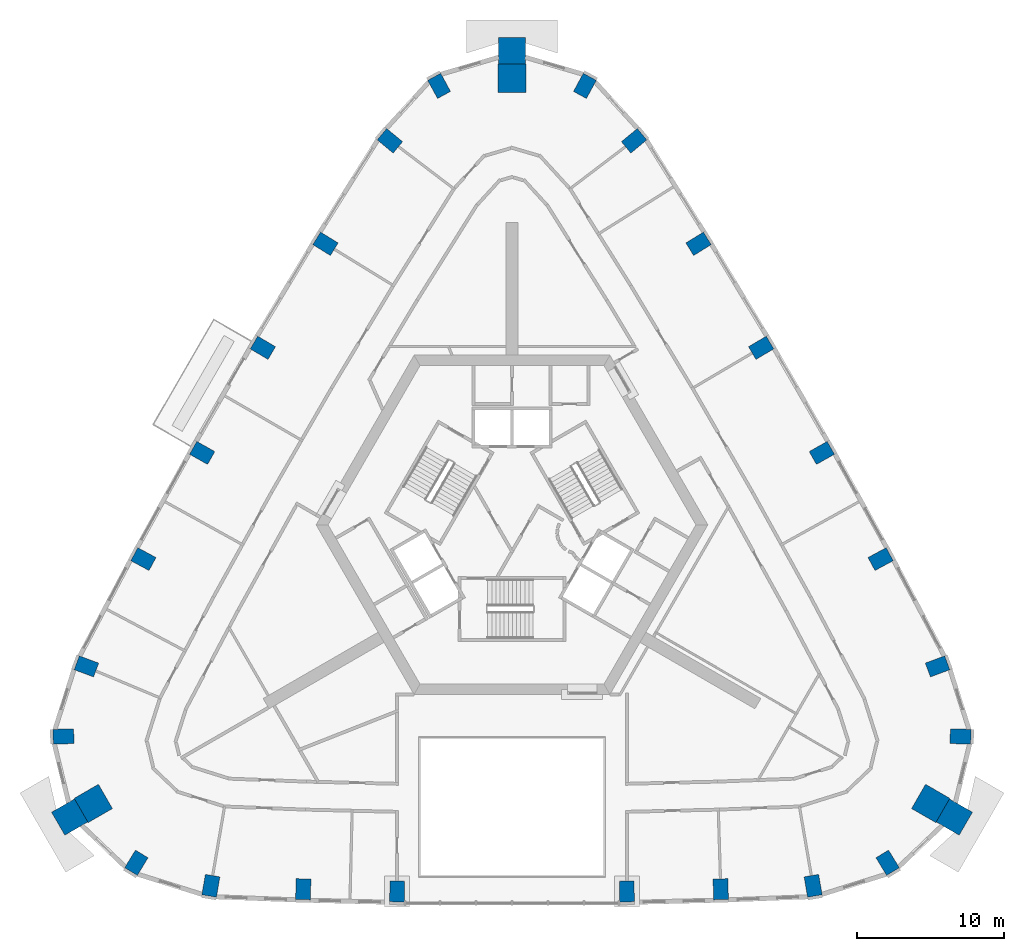
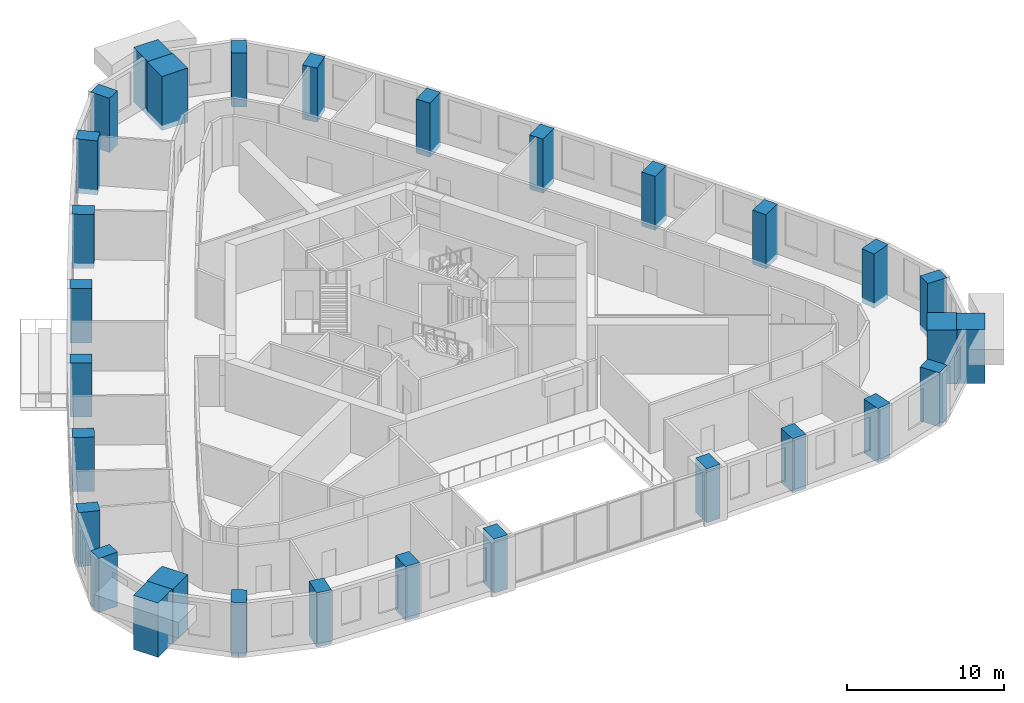
# One storey, part 1 of 13: 30 columns.
"""IFC4 building model written with IfcOpenShell, lengths in metres."""

from ifc_helpers import new_model, si_unit, direction, frame, origin, origin_2d, place, context, subcontext, project, spatial, rectangle, extrude, material, material_profile, profile_set, type_object, element, save


model = new_model("IFC4")

# Units and contexts
model_context = context("Model", 3, precision=1e-05, world=origin(), true_north=direction((0.0, 1.0)))
body_context = subcontext(model_context, "Body", "Model", "MODEL_VIEW")
ifc_project = project(units=[si_unit("LENGTHUNIT", "METRE"), si_unit("AREAUNIT", "SQUARE_METRE"), si_unit("VOLUMEUNIT", "CUBIC_METRE"), si_unit("PLANEANGLEUNIT", "RADIAN"), si_unit("MASSUNIT", "GRAM", prefix="KILO")], contexts=[model_context])

# Site, building, storey
site_placement = place(None, origin())
site = spatial("IfcSite", under=ifc_project, at=site_placement, CompositionType="ELEMENT")
building_placement = place(site_placement, origin())
building = spatial("IfcBuilding", under=site, at=building_placement, Name="Entoto Arch Interchange Tower", CompositionType="ELEMENT")
storey_placement = place(building_placement, frame((0.0, 0.0, 223.39990234375)))
storey = spatial("IfcBuildingStorey", under=building, at=storey_placement, Name="L50", CompositionType="ELEMENT", Elevation=223.39990234375)

# Columns
ifc_material_1 = material(Name="Concrete C50/60", Category="concrete")
ifc_material_profile_1 = material_profile(ifc_material_1, rectangle(XDim=1.0, YDim=1.39990234375, at=origin_2d()))
ifc_profile_set_1 = profile_set([ifc_material_profile_1], Name="Concrete C50/60")
column_type_1 = type_object("IfcColumnType", Name="Column RC 1000x1400 C50/60", PredefinedType="COLUMN", material=ifc_profile_set_1)
for number, where, z_axis, x_axis, name in (
    (1, (-20.4169921875, -21.97509765625, -0.39990234375), (0.0, 0.0, 1.0), (-0.985541276773, 0.169435509195, 0.0), "Column S01 L50"),
    (2, (-14.154052734375, -22.2080078125, -0.39990234375), (0.0, 0.0, 1.0), (-0.999420902032, 0.034027350502, 0.0), "Column S02 L50"),
    (3, (-7.7880859375, -22.361083984375, -0.39990234375), (0.0, 0.0, 1.0), (-0.999913181484, 0.013176854508, 0.0), "Column S03 L50"),
    (4, (7.7880859375, -22.361083984375, -0.39990234375), (0.0, 0.0, 1.0), (0.999913181484, 0.013176854508, 0.0), "Column S04 L50"),
    (5, (14.154052734375, -22.2080078125, -0.39990234375), (0.0, 0.0, 1.0), (0.999420902032, 0.034027350502, 0.0), "Column S05 L50"),
    (6, (20.4169921875, -21.97509765625, -0.39990234375), (0.0, 0.0, 1.0), (0.985541276773, 0.169435509195, 0.0), "Column S06 L50"),
    (7, (25.468994140625, -20.412109375, -0.39990234375), (0.0, 0.0, 1.0), (0.853423465127, 0.521218178089, 0.0), "Column SE1 L50"),
    (8, (30.412109375, -11.85107421875, -0.39990234375), (0.0, 0.0, 1.0), (0.024676450576, 0.99969549003, 0.0), "Column SE3 L50"),
    (9, (28.85595703125, -7.10009765625, -0.39990234375), (0.0, 0.0, 1.0), (-0.34706660219, 0.937840484114, 0.0), "Column NE01 L50"),
    (10, (24.992919921875, 0.175048828125, -0.39990234375), (0.0, 0.0, 1.0), (-0.474134310084, 0.880452529102, 0.0), "Column NE02 L50"),
    (11, (21.007080078125, 7.376953125, -0.39990234375), (0.0, 0.0, 1.0), (-0.491435856222, 0.870913772551, 0.0), "Column NE03 L50"),
    (12, (16.89208984375, 14.50390625, -0.39990234375), (0.0, 0.0, 1.0), (-0.508515523424, 0.861052822095, 0.0), "Column NE04 L50"),
    (13, (12.64794921875, 21.556884765625, -0.39990234375), (0.0, 0.0, 1.0), (-0.525427101986, 0.850838621889, 0.0), "Column NE05 L50"),
    (14, (8.278076171875, 28.5400390625, -0.39990234375), (0.0, 0.0, 1.0), (-0.638660382845, 0.769488736359, 0.0), "Column NE06 L50"),
    (15, (4.94189453125, 32.262939453125, -0.39990234375), (0.0, 0.0, 1.0), (-0.878099915703, 0.478477311941, 0.0), "Column N1 L50"),
    (16, (-4.94189453125, 32.262939453125, -0.39990234375), (0.0, 0.0, 1.0), (0.878099915703, 0.478477311941, 0.0), "Column N3 L50"),
    (17, (-8.278076171875, 28.5400390625, -0.39990234375), (0.0, 0.0, 1.0), (0.638660382845, 0.769488736359, 0.0), "Column NW01 L50"),
    (18, (-12.64794921875, 21.556884765625, -0.39990234375), (0.0, 0.0, 1.0), (0.525427101986, 0.850838621889, 0.0), "Column NW02 L50"),
    (19, (-16.89208984375, 14.50390625, -0.39990234375), (0.0, 0.0, 1.0), (0.508515523424, 0.861052822095, 0.0), "Column NW03 L50"),
    (20, (-21.007080078125, 7.376953125, -0.39990234375), (0.0, 0.0, 1.0), (0.491435856222, 0.870913772551, 0.0), "Column NW04 L50"),
    (21, (-24.992919921875, 0.175048828125, -0.39990234375), (0.0, 0.0, 1.0), (0.474134310084, 0.880452529102, 0.0), "Column NW05 L50"),
    (22, (-28.85595703125, -7.10009765625, -0.39990234375), (0.0, 0.0, 1.0), (0.34706660219, 0.937840484114, 0.0), "Column NW06 L50"),
    (23, (-30.412109375, -11.85107421875, -0.39990234375), (0.0, 0.0, 1.0), (-0.024676450576, 0.99969549003, 0.0), "Column SW1 L50"),
    (24, (-25.468994140625, -20.412109375, -0.39990234375), (0.0, 0.0, 1.0), (-0.853423465127, 0.521218178089, 0.0), "Column SW3 L50"),
):
    element("IfcColumn", number, at=place(storey_placement, frame(where, z_axis=z_axis, x_axis=x_axis)), inside=storey, type_object=column_type_1, Name=name, PredefinedType="COLUMN", context=body_context, shape_type="SweptSolid", body=[
        extrude(rectangle(XDim=1.0, YDim=1.39990234375, at=origin_2d()), origin(), (0.0, 0.0, 1.0), 4.199951171875),
    ])
ifc_material_2 = material(Name="Precast concrete C40/50", Category="concrete")
ifc_material_profile_2 = material_profile(ifc_material_2, rectangle(XDim=1.800048828125, YDim=1.800048828125, at=origin_2d()))
ifc_profile_set_2 = profile_set([ifc_material_profile_2], Name="Precast concrete C40/50")
column_type_2 = type_object("IfcColumnType", Name="Frame post RC 1800x1800 precast C40/50", PredefinedType="COLUMN", material=ifc_profile_set_2)
for number, where, z_axis, x_axis, name in (
    (25, (29.991943359375, -17.31591796875, -0.39990234375), (0.0, 0.0, 1.0), (-0.866025403784, 0.5, 0.0), "Frame post SE L50"),
    (26, (0.0, 34.632080078125, -0.39990234375), (0.0, 0.0, 1.0), (0.0, 1.0, 0.0), "Frame post N L50"),
    (27, (-29.991943359375, -17.31591796875, -0.39990234375), (0.0, 0.0, 1.0), (0.866025403784, 0.5, 0.0), "Frame post SW L50"),
):
    element("IfcColumn", number, at=place(storey_placement, frame(where, z_axis=z_axis, x_axis=x_axis)), inside=storey, type_object=column_type_2, Name=name, PredefinedType="COLUMN", context=body_context, shape_type="SweptSolid", body=[
        extrude(rectangle(XDim=1.800048828125, YDim=1.800048828125, at=origin_2d()), origin(), (0.0, 0.0, 1.0), 4.199951171875),
    ])
ifc_material_profile_3 = material_profile(ifc_material_1, rectangle(XDim=1.89990234375, YDim=1.89990234375, at=origin_2d()))
ifc_profile_set_3 = profile_set([ifc_material_profile_3], Name="Concrete C50/60")
column_type_3 = type_object("IfcColumnType", Name="Mega column RC 1900x1900 C50/60", PredefinedType="COLUMN", material=ifc_profile_set_3)
for number, where, z_axis, x_axis, name in (
    (28, (28.389892578125, -16.39111328125, -0.39990234375), (0.0, 0.0, 1.0), (-0.866025403784, 0.5, 0.0), "Corner mega column SE2 L50"),
    (29, (0.0, 32.781982421875, -0.39990234375), (0.0, 0.0, 1.0), (0.0, 1.0, 0.0), "Corner mega column N2 L50"),
    (30, (-28.389892578125, -16.39111328125, -0.39990234375), (0.0, 0.0, 1.0), (0.866025403784, 0.5, 0.0), "Corner mega column SW2 L50"),
):
    element("IfcColumn", number, at=place(storey_placement, frame(where, z_axis=z_axis, x_axis=x_axis)), inside=storey, type_object=column_type_3, Name=name, PredefinedType="COLUMN", context=body_context, shape_type="SweptSolid", body=[
        extrude(rectangle(XDim=1.89990234375, YDim=1.89990234375, at=origin_2d()), origin(), (0.0, 0.0, 1.0), 4.199951171875),
    ])

save(model, "model.ifc")
